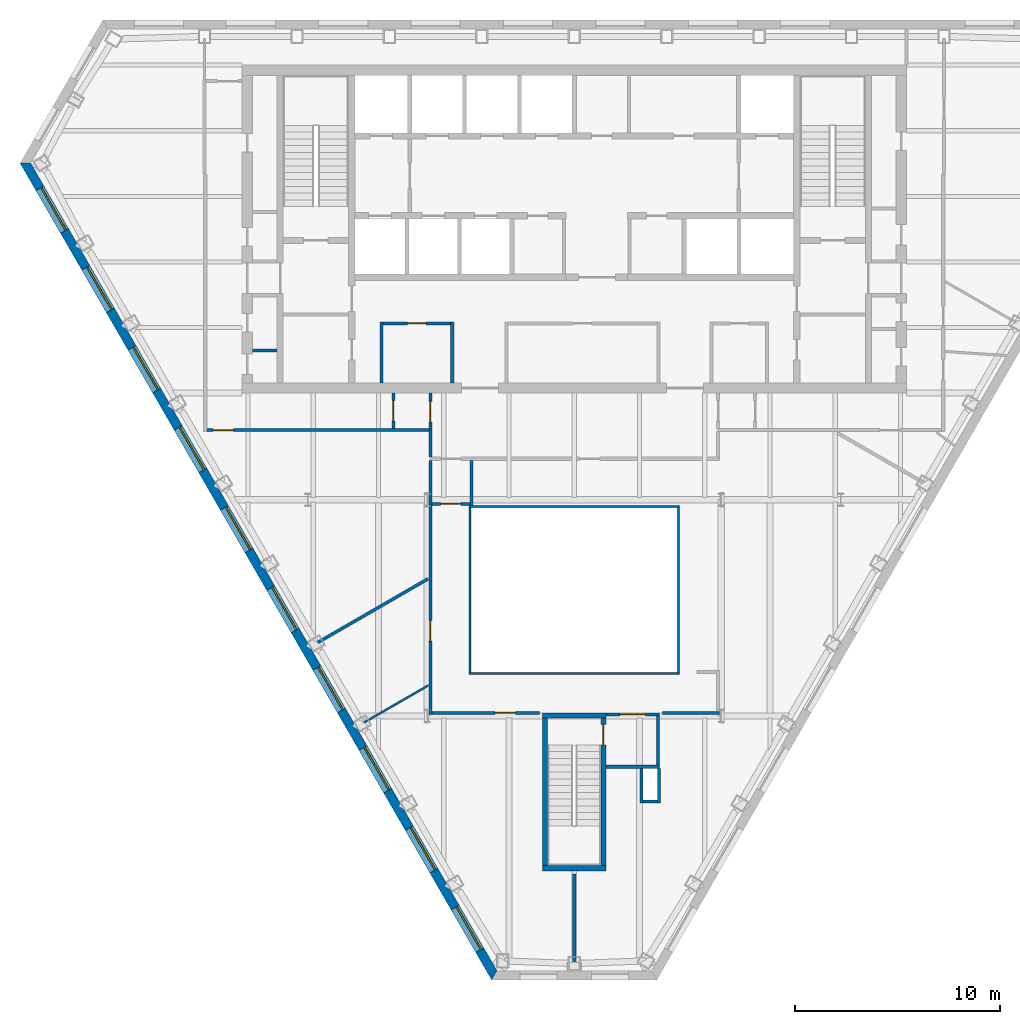
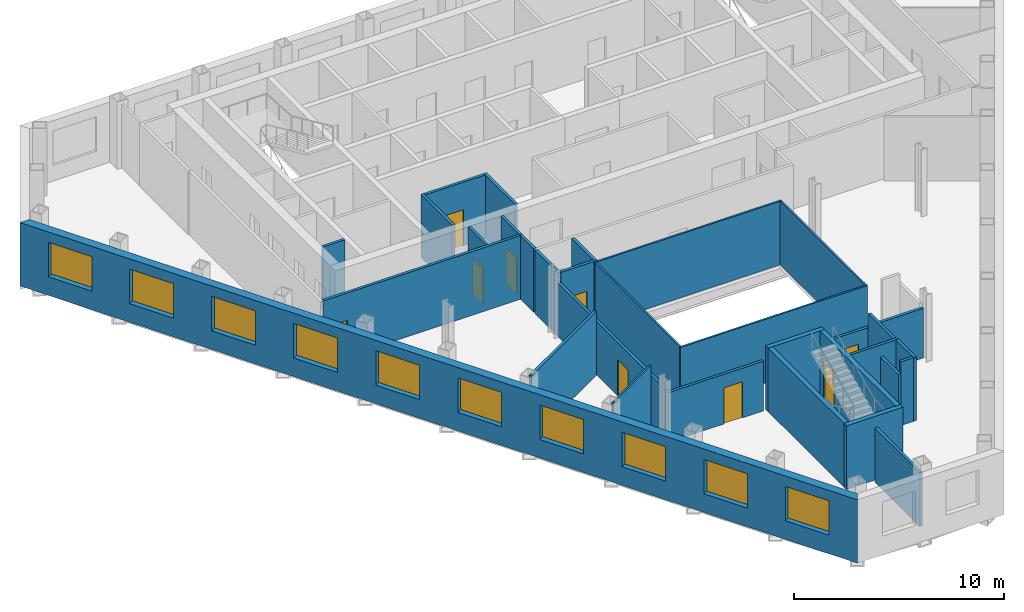
# One storey, part 4 of 11: 32 walls, 10 windows, 9 doors, 19 openings.
"""IFC4 building model written with IfcOpenShell, lengths in metres."""

from ifc_helpers import new_model, si_unit, direction, frame, frame_2d, origin, place, context, subcontext, project, spatial, polyline, rectangle, outline, extrude, material, layer, layer_set, type_object, element, fill, save


model = new_model("IFC4")

# Units and contexts
model_context = context("Model", 3, precision=1e-05, world=origin(), true_north=direction((0.0, 1.0)))
body_context = subcontext(model_context, "Body", "Model", "MODEL_VIEW")
ifc_project = project(units=[si_unit("LENGTHUNIT", "METRE"), si_unit("AREAUNIT", "SQUARE_METRE"), si_unit("VOLUMEUNIT", "CUBIC_METRE"), si_unit("PLANEANGLEUNIT", "RADIAN"), si_unit("MASSUNIT", "GRAM", prefix="KILO")], contexts=[model_context])

# Site, building, storey
site_placement = place(None, origin())
site = spatial("IfcSite", under=ifc_project, at=site_placement, CompositionType="ELEMENT")
building_placement = place(site_placement, origin())
building = spatial("IfcBuilding", under=site, at=building_placement, Name="Njiva Tower", CompositionType="ELEMENT")
storey_placement = place(building_placement, frame((0.0, 0.0, 174.9)))
storey = spatial("IfcBuildingStorey", under=building, at=storey_placement, Name="L38", CompositionType="ELEMENT", Elevation=174.9)

# Walls
ifc_material_1 = material(Name="Blockwork", Category="masonry")
ifc_layer_1 = layer(ifc_material_1, 0.15)
ifc_layer_set_1 = layer_set([ifc_layer_1], Name="Blockwork")
wall_type_1 = type_object("IfcWallType", Name="WT1 Compartment partition 150", PredefinedType="PARTITIONING", material=ifc_layer_set_1)
wall_1_placement = place(storey_placement, frame((-15.7, 4.075, 0.0), z_axis=(0.0, 0.0, 1.0), x_axis=(1.0, 0.0, 0.0)))
element("IfcWall", 1, at=wall_1_placement, inside=storey, type_object=wall_type_1, Name="Partition strip W00", PredefinedType="PARTITIONING", context=body_context, shape_type="SweptSolid", body=[
    extrude(rectangle(XDim=1.2, YDim=0.15, at=frame_2d((0.6, 0.0))), origin(), (0.0, 0.0, 1.0), 3.7),
])
for number, where, z_axis, x_axis, name in (
    (2, (-9.4, 2.5, 0.0), (0.0, 0.0, 1.0), (0.0, 1.0, 0.0), "Concierge office wall west"),
    (3, (-5.95, 2.5, 0.0), (0.0, 0.0, 1.0), (0.0, 1.0, 0.0), "Concierge office wall east"),
):
    element("IfcWall", number, at=place(storey_placement, frame(where, z_axis=z_axis, x_axis=x_axis)), inside=storey, type_object=wall_type_1, Name=name, PredefinedType="PARTITIONING", context=body_context, shape_type="SweptSolid", body=[
        extrude(rectangle(XDim=2.975, YDim=0.15, at=frame_2d((1.4875, 0.0))), origin(), (0.0, 0.0, 1.0), 3.7),
    ])

# Wall, opening, door
wall_2_placement = place(storey_placement, frame((-9.325, 5.4, 0.0), z_axis=(0.0, 0.0, 1.0), x_axis=(1.0, 0.0, 0.0)))
wall_2 = element("IfcWall", 4, at=wall_2_placement, inside=storey, type_object=wall_type_1, Name="Concierge office wall north", PredefinedType="PARTITIONING", context=body_context, shape_type="SweptSolid", body=[
    extrude(rectangle(XDim=3.3, YDim=0.15, at=frame_2d((1.65, 0.0))), origin(), (0.0, 0.0, 1.0), 3.7),
])
opening_1_placement = place(wall_2_placement, frame((1.2, 0.0, 0.0)))
opening_1 = element("IfcOpeningElement", 5, at=opening_1_placement, cuts=wall_2, Name="Opening S13-D933", PredefinedType="OPENING", context=body_context, shape_type="SweptSolid", body=[
    extrude(rectangle(XDim=0.9, YDim=2.1, at=frame_2d((0.45, 1.05))), frame((0.0, 0.085, 0.0), z_axis=(0.0, -1.0, 0.0), x_axis=(1.0, 0.0, 0.0)), (0.0, 0.0, 1.0), 0.17),
])
ifc_material_2 = material(Name="Steel fire door, painted", Category="steel")
door_type_1 = type_object("IfcDoorType", Name="D6 Fire-rated door 900x2100", OperationType="SINGLE_SWING_LEFT", PredefinedType="DOOR", material=ifc_material_2)
door_1_placement = place(opening_1_placement, origin())
door_1 = element("IfcDoor", 6, at=door_1_placement, inside=storey, type_object=door_type_1, Name="Concierge office door", OperationType="SINGLE_SWING_RIGHT", OverallHeight=2.1, OverallWidth=0.9, PredefinedType="DOOR", context=body_context, shape_type="SweptSolid", body=[
    extrude(rectangle(XDim=0.9, YDim=2.1, at=frame_2d((0.45, 1.05))), frame((0.0, 0.025, 0.0), z_axis=(0.0, -1.0, 0.0), x_axis=(1.0, 0.0, 0.0)), (0.0, 0.0, 1.0), 0.05),
])
fill(opening_1, door_1)

# Wall
ifc_material_3 = material(Name="Gypsum board on steel studs", Category="gypsum")
ifc_layer_2 = layer(ifc_material_3, 0.1)
ifc_layer_set_2 = layer_set([ifc_layer_2], Name="Gypsum board on steel studs")
wall_type_2 = type_object("IfcWallType", Name="WT20 Gypsum partition 100", PredefinedType="PARTITIONING", material=ifc_layer_set_2)
wall_3_placement = place(storey_placement, frame((-10.244, -14.062, 0.0), z_axis=(0.0, 0.0, 1.0), x_axis=(0.866102493935, 0.499866452165, 0.0)))
element("IfcWall", 7, at=wall_3_placement, inside=storey, type_object=wall_type_2, Name="Partition S13-P007", PredefinedType="PARTITIONING", context=body_context, shape_type="SweptSolid", body=[
    extrude(rectangle(XDim=3.607, YDim=0.1, at=frame_2d((1.8035, 0.0))), origin(), (0.0, 0.0, 1.0), 3.7),
])

# Wall, opening, door
ifc_layer_3 = layer(ifc_material_3, 0.15)
ifc_layer_set_3 = layer_set([ifc_layer_3], Name="Gypsum board on steel studs")
wall_type_3 = type_object("IfcWallType", Name="WT21 Compartment wall 150", PredefinedType="PARTITIONING", material=ifc_layer_set_3)
wall_4_placement = place(storey_placement, frame((-17.925, 0.2, 0.0), z_axis=(0.0, 0.0, 1.0), x_axis=(1.0, 0.0, 0.0)))
wall_4 = element("IfcWall", 8, at=wall_4_placement, inside=storey, type_object=wall_type_3, Name="Partition S13-P005", PredefinedType="PARTITIONING", context=body_context, shape_type="SweptSolid", body=[
    extrude(rectangle(XDim=10.83, YDim=0.15, at=frame_2d((5.415, 0.0))), origin(), (0.0, 0.0, 1.0), 3.7),
])
opening_2_placement = place(wall_4_placement, frame((0.312, 0.0, 0.0)))
opening_2 = element("IfcOpeningElement", 9, at=opening_2_placement, cuts=wall_4, Name="Opening S13-D002", PredefinedType="OPENING", context=body_context, shape_type="SweptSolid", body=[
    extrude(rectangle(XDim=1.0, YDim=2.1, at=frame_2d((0.5, 1.05))), frame((0.0, 0.085, 0.0), z_axis=(0.0, -1.0, 0.0), x_axis=(1.0, 0.0, 0.0)), (0.0, 0.0, 1.0), 0.17),
])
ifc_material_4 = material(Name="Steel fire door set", Category="steel")
door_type_2 = type_object("IfcDoorType", Name="D37 Fire door 1000x2100", OperationType="SINGLE_SWING_LEFT", PredefinedType="DOOR", material=ifc_material_4)
door_2_placement = place(opening_2_placement, origin())
door_2 = element("IfcDoor", 10, at=door_2_placement, inside=storey, type_object=door_type_2, Name="Door S13-D002", OperationType="SINGLE_SWING_LEFT", OverallHeight=2.1, OverallWidth=1.0, PredefinedType="DOOR", context=body_context, shape_type="SweptSolid", body=[
    extrude(rectangle(XDim=1.0, YDim=2.1, at=frame_2d((0.5, 1.05))), frame((0.0, 0.025, 0.0), z_axis=(0.0, -1.0, 0.0), x_axis=(1.0, 0.0, 0.0)), (0.0, 0.0, 1.0), 0.05),
])
fill(opening_2, door_2)

# Wall
wall_5_placement = place(storey_placement, frame((-12.499, -10.157, 0.0), z_axis=(0.0, 0.0, 1.0), x_axis=(0.866070043127, 0.499922674419, 0.0)))
element("IfcWall", 11, at=wall_5_placement, inside=storey, type_object=wall_type_3, Name="Partition S13-P006", PredefinedType="PARTITIONING", context=body_context, shape_type="SweptSolid", body=[
    extrude(rectangle(XDim=6.197, YDim=0.15, at=frame_2d((3.0985, 0.0))), origin(), (0.0, 0.0, 1.0), 3.7),
])

# Wall, opening, door
wall_6_placement = place(storey_placement, frame((-8.82, 0.275, 0.0), z_axis=(0.0, 0.0, 1.0), x_axis=(0.0, 1.0, 0.0)))
wall_6 = element("IfcWall", 12, at=wall_6_placement, inside=storey, type_object=wall_type_3, Name="Partition S13-P008", PredefinedType="PARTITIONING", context=body_context, shape_type="SweptSolid", body=[
    extrude(rectangle(XDim=1.725, YDim=0.15, at=frame_2d((0.8625, 0.0))), origin(), (0.0, 0.0, 1.0), 3.7),
])
opening_3_placement = place(wall_6_placement, frame((0.363, 0.0, 0.0)))
opening_3 = element("IfcOpeningElement", 13, at=opening_3_placement, cuts=wall_6, Name="Opening S13-D003", PredefinedType="OPENING", context=body_context, shape_type="SweptSolid", body=[
    extrude(rectangle(XDim=1.0, YDim=2.1, at=frame_2d((0.5, 1.05))), frame((0.0, 0.085, 0.0), z_axis=(0.0, -1.0, 0.0), x_axis=(1.0, 0.0, 0.0)), (0.0, 0.0, 1.0), 0.17),
])
door_3_placement = place(opening_3_placement, origin())
door_3 = element("IfcDoor", 14, at=door_3_placement, inside=storey, type_object=door_type_2, Name="Door S13-D003", OperationType="SINGLE_SWING_LEFT", OverallHeight=2.1, OverallWidth=1.0, PredefinedType="DOOR", context=body_context, shape_type="SweptSolid", body=[
    extrude(rectangle(XDim=1.0, YDim=2.1, at=frame_2d((0.5, 1.05))), frame((0.0, 0.025, 0.0), z_axis=(0.0, -1.0, 0.0), x_axis=(1.0, 0.0, 0.0)), (0.0, 0.0, 1.0), 0.05),
])
fill(opening_3, door_3)

wall_7_placement = place(storey_placement, frame((-7.02, -13.675, 0.0), z_axis=(0.0, 0.0, 1.0), x_axis=(0.0, 1.0, 0.0)))
wall_7 = element("IfcWall", 15, at=wall_7_placement, inside=storey, type_object=wall_type_3, Name="Partition S13-P009", PredefinedType="PARTITIONING", context=body_context, shape_type="SweptSolid", body=[
    extrude(rectangle(XDim=10.215, YDim=0.15, at=frame_2d((5.1075, 0.0))), origin(), (0.0, 0.0, 1.0), 3.11),
])
opening_4_placement = place(wall_7_placement, frame((3.577, 0.0, 0.0)))
opening_4 = element("IfcOpeningElement", 16, at=opening_4_placement, cuts=wall_7, Name="Opening S13-D004", PredefinedType="OPENING", context=body_context, shape_type="SweptSolid", body=[
    extrude(rectangle(XDim=1.0, YDim=2.1, at=frame_2d((0.5, 1.05))), frame((0.0, 0.085, 0.0), z_axis=(0.0, -1.0, 0.0), x_axis=(1.0, 0.0, 0.0)), (0.0, 0.0, 1.0), 0.17),
])
door_4_placement = place(opening_4_placement, origin())
door_4 = element("IfcDoor", 17, at=door_4_placement, inside=storey, type_object=door_type_2, Name="Door S13-D004", OperationType="SINGLE_SWING_RIGHT", OverallHeight=2.1, OverallWidth=1.0, PredefinedType="DOOR", context=body_context, shape_type="SweptSolid", body=[
    extrude(rectangle(XDim=1.0, YDim=2.1, at=frame_2d((0.5, 1.05))), frame((0.0, 0.025, 0.0), z_axis=(0.0, -1.0, 0.0), x_axis=(1.0, 0.0, 0.0)), (0.0, 0.0, 1.0), 0.05),
])
fill(opening_4, door_4)

# Walls
wall_8_placement = place(storey_placement, frame((-7.02, -3.46, 0.0), z_axis=(0.0, 0.0, 1.0), x_axis=(0.0, 1.0, 0.0)))
element("IfcWall", 18, at=wall_8_placement, inside=storey, type_object=wall_type_3, Name="Partition S13-P009A", PredefinedType="PARTITIONING", context=body_context, shape_type="SweptSolid", body=[
    extrude(rectangle(XDim=2.185, YDim=0.15, at=frame_2d((1.0925, 0.0))), origin(), (0.0, 0.0, 1.0), 3.7),
])
wall_9_placement = place(storey_placement, frame((-7.02, -1.125, 0.0), z_axis=(0.0, 0.0, 1.0), x_axis=(0.0, 1.0, 0.0)))
element("IfcWall", 19, at=wall_9_placement, inside=storey, type_object=wall_type_3, Name="Partition S13-P011", PredefinedType="PARTITIONING", context=body_context, shape_type="SweptSolid", body=[
    extrude(rectangle(XDim=1.323, YDim=0.15, at=frame_2d((0.6615, 0.0))), origin(), (0.0, 0.0, 1.0), 3.7),
])

# Wall, opening, door
wall_10_placement = place(storey_placement, frame((-7.02, 0.2, 0.0), z_axis=(0.0, 0.0, 1.0), x_axis=(0.0, 1.0, 0.0)))
wall_10 = element("IfcWall", 20, at=wall_10_placement, inside=storey, type_object=wall_type_3, Name="Partition S13-P012", PredefinedType="PARTITIONING", context=body_context, shape_type="SweptSolid", body=[
    extrude(rectangle(XDim=1.8, YDim=0.15, at=frame_2d((0.9, 0.0))), origin(), (0.0, 0.0, 1.0), 3.7),
])
opening_5_placement = place(wall_10_placement, frame((0.4, 0.0, 0.0)))
opening_5 = element("IfcOpeningElement", 21, at=opening_5_placement, cuts=wall_10, Name="Opening S13-D007", PredefinedType="OPENING", context=body_context, shape_type="SweptSolid", body=[
    extrude(rectangle(XDim=1.0, YDim=2.1, at=frame_2d((0.5, 1.05))), frame((0.0, 0.085, 0.0), z_axis=(0.0, -1.0, 0.0), x_axis=(1.0, 0.0, 0.0)), (0.0, 0.0, 1.0), 0.17),
])
door_5_placement = place(opening_5_placement, origin())
door_5 = element("IfcDoor", 22, at=door_5_placement, inside=storey, type_object=door_type_2, Name="Door S13-D007", OperationType="SINGLE_SWING_LEFT", OverallHeight=2.1, OverallWidth=1.0, PredefinedType="DOOR", context=body_context, shape_type="SweptSolid", body=[
    extrude(rectangle(XDim=1.0, YDim=2.1, at=frame_2d((0.5, 1.05))), frame((0.0, 0.025, 0.0), z_axis=(0.0, -1.0, 0.0), x_axis=(1.0, 0.0, 0.0)), (0.0, 0.0, 1.0), 0.05),
])
fill(opening_5, door_5)

wall_11_placement = place(storey_placement, frame((-6.945, -13.6, 0.0), z_axis=(0.0, 0.0, 1.0), x_axis=(1.0, 0.0, 0.0)))
wall_11 = element("IfcWall", 23, at=wall_11_placement, inside=storey, type_object=wall_type_3, Name="Partition S13-P013", PredefinedType="PARTITIONING", context=body_context, shape_type="SweptSolid", body=[
    extrude(rectangle(XDim=5.245, YDim=0.15, at=frame_2d((2.6225, 0.0))), origin(), (0.0, 0.0, 1.0), 2.886),
])
opening_6_placement = place(wall_11_placement, frame((3.079, 0.0, 0.0)))
opening_6 = element("IfcOpeningElement", 24, at=opening_6_placement, cuts=wall_11, Name="Opening S13-D008", PredefinedType="OPENING", context=body_context, shape_type="SweptSolid", body=[
    extrude(rectangle(XDim=1.0, YDim=2.1, at=frame_2d((0.5, 1.05))), frame((0.0, 0.085, 0.0), z_axis=(0.0, -1.0, 0.0), x_axis=(1.0, 0.0, 0.0)), (0.0, 0.0, 1.0), 0.17),
])
door_6_placement = place(opening_6_placement, origin())
door_6 = element("IfcDoor", 25, at=door_6_placement, inside=storey, type_object=door_type_2, Name="Door S13-D008", OperationType="SINGLE_SWING_RIGHT", OverallHeight=2.1, OverallWidth=1.0, PredefinedType="DOOR", context=body_context, shape_type="SweptSolid", body=[
    extrude(rectangle(XDim=1.0, YDim=2.1, at=frame_2d((0.5, 1.05))), frame((0.0, 0.025, 0.0), z_axis=(0.0, -1.0, 0.0), x_axis=(1.0, 0.0, 0.0)), (0.0, 0.0, 1.0), 0.05),
])
fill(opening_6, door_6)

wall_12_placement = place(storey_placement, frame((-6.945, -3.4, 0.0), z_axis=(0.0, 0.0, 1.0), x_axis=(1.0, 0.0, 0.0)))
wall_12 = element("IfcWall", 26, at=wall_12_placement, inside=storey, type_object=wall_type_3, Name="Partition S13-P014", PredefinedType="PARTITIONING", context=body_context, shape_type="SweptSolid", body=[
    extrude(rectangle(XDim=1.85, YDim=0.15, at=frame_2d((0.925, 0.0))), origin(), (0.0, 0.0, 1.0), 3.7),
])
opening_7_placement = place(wall_12_placement, frame((0.425, 0.0, 0.0)))
opening_7 = element("IfcOpeningElement", 27, at=opening_7_placement, cuts=wall_12, Name="Opening S13-D009", PredefinedType="OPENING", context=body_context, shape_type="SweptSolid", body=[
    extrude(rectangle(XDim=1.0, YDim=2.1, at=frame_2d((0.5, 1.05))), frame((0.0, 0.085, 0.0), z_axis=(0.0, -1.0, 0.0), x_axis=(1.0, 0.0, 0.0)), (0.0, 0.0, 1.0), 0.17),
])
door_7_placement = place(opening_7_placement, origin())
door_7 = element("IfcDoor", 28, at=door_7_placement, inside=storey, type_object=door_type_2, Name="Door S13-D009", OperationType="SINGLE_SWING_RIGHT", OverallHeight=2.1, OverallWidth=1.0, PredefinedType="DOOR", context=body_context, shape_type="SweptSolid", body=[
    extrude(rectangle(XDim=1.0, YDim=2.1, at=frame_2d((0.5, 1.05))), frame((0.0, 0.025, 0.0), z_axis=(0.0, -1.0, 0.0), x_axis=(1.0, 0.0, 0.0)), (0.0, 0.0, 1.0), 0.05),
])
fill(opening_7, door_7)

# Walls
wall_13_placement = place(storey_placement, frame((-5.02, -3.48, 0.0), z_axis=(0.0, 0.0, 1.0), x_axis=(0.0, 1.0, 0.0)))
element("IfcWall", 29, at=wall_13_placement, inside=storey, type_object=wall_type_3, Name="Partition S13-P015", PredefinedType="PARTITIONING", context=body_context, shape_type="SweptSolid", body=[
    extrude(rectangle(XDim=2.205, YDim=0.15, at=frame_2d((1.1025, 0.0))), origin(), (0.0, 0.0, 1.0), 3.7),
])
wall_14_placement = place(storey_placement, frame((0.0, -25.726, 0.0), z_axis=(0.0, 0.0, 1.0), x_axis=(0.0, 1.0, 0.0)))
element("IfcWall", 30, at=wall_14_placement, inside=storey, type_object=wall_type_3, Name="Partition S13-P016", PredefinedType="PARTITIONING", context=body_context, shape_type="SweptSolid", body=[
    extrude(rectangle(XDim=4.276, YDim=0.15, at=frame_2d((2.138, 0.0))), origin(), (0.0, 0.0, 1.0), 3.15),
])
wall_15_placement = place(storey_placement, frame((4.3, -13.6, 0.0), z_axis=(0.0, 0.0, 1.0), x_axis=(1.0, 0.0, 0.0)))
element("IfcWall", 31, at=wall_15_placement, inside=storey, type_object=wall_type_3, Name="Partition S13-P017", PredefinedType="PARTITIONING", context=body_context, shape_type="SweptSolid", body=[
    extrude(rectangle(XDim=2.795, YDim=0.15, at=frame_2d((1.3975, 0.0))), origin(), (0.0, 0.0, 1.0), 2.886),
])
ifc_layer_4 = layer(ifc_material_1, 0.15)
ifc_layer_set_4 = layer_set([ifc_layer_4], Name="Blockwork")
wall_type_4 = type_object("IfcWallType", Name="WT4 Stair partition 150", PredefinedType="PARTITIONING", material=ifc_layer_set_4)
wall_16_placement = place(storey_placement, frame((1.55, -16.225, 0.0), z_axis=(0.0, 0.0, 1.0), x_axis=(1.0, 0.0, 0.0)))
element("IfcWall", 32, at=wall_16_placement, inside=storey, type_object=wall_type_4, Name="Stair C vestibule wall south", PredefinedType="PARTITIONING", context=body_context, shape_type="SweptSolid", body=[
    extrude(rectangle(XDim=2.6, YDim=0.15, at=frame_2d((1.3, 0.0))), origin(), (0.0, 0.0, 1.0), 3.7),
])
wall_17_placement = place(storey_placement, frame((4.075, -16.15, 0.0), z_axis=(0.0, 0.0, 1.0), x_axis=(0.0, 1.0, 0.0)))
element("IfcWall", 33, at=wall_17_placement, inside=storey, type_object=wall_type_4, Name="Stair C vestibule wall east", PredefinedType="PARTITIONING", context=body_context, shape_type="SweptSolid", body=[
    extrude(rectangle(XDim=2.4, YDim=0.15, at=frame_2d((1.2, 0.0))), origin(), (0.0, 0.0, 1.0), 3.7),
])

# Wall, opening, door
wall_18_placement = place(storey_placement, frame((1.55, -13.675, 0.0), z_axis=(0.0, 0.0, 1.0), x_axis=(1.0, 0.0, 0.0)))
wall_18 = element("IfcWall", 34, at=wall_18_placement, inside=storey, type_object=wall_type_4, Name="Stair C vestibule wall north", PredefinedType="PARTITIONING", context=body_context, shape_type="SweptSolid", body=[
    extrude(rectangle(XDim=2.6, YDim=0.15, at=frame_2d((1.3, 0.0))), origin(), (0.0, 0.0, 1.0), 2.886),
])
opening_8_placement = place(wall_18_placement, frame((0.675, 0.0, 0.0)))
opening_8 = element("IfcOpeningElement", 35, at=opening_8_placement, cuts=wall_18, Name="Opening S13-D940", PredefinedType="OPENING", context=body_context, shape_type="SweptSolid", body=[
    extrude(rectangle(XDim=1.25, YDim=2.1, at=frame_2d((0.625, 1.05))), frame((0.0, 0.085, 0.0), z_axis=(0.0, -1.0, 0.0), x_axis=(1.0, 0.0, 0.0)), (0.0, 0.0, 1.0), 0.17),
])
ifc_material_5 = material(Name="Glazed steel fire door", Category="steel")
door_type_3 = type_object("IfcDoorType", Name="D8 Vestibule corridor door 1250x2100 glazed", OperationType="SINGLE_SWING_LEFT", PredefinedType="DOOR", material=ifc_material_5)
door_8_placement = place(opening_8_placement, origin())
door_8 = element("IfcDoor", 36, at=door_8_placement, inside=storey, type_object=door_type_3, Name="Stair vestibule corridor door", OperationType="SINGLE_SWING_RIGHT", OverallHeight=2.1, OverallWidth=1.25, PredefinedType="DOOR", context=body_context, shape_type="SweptSolid", body=[
    extrude(rectangle(XDim=1.25, YDim=2.1, at=frame_2d((0.625, 1.05))), frame((0.0, 0.025, 0.0), z_axis=(0.0, -1.0, 0.0), x_axis=(1.0, 0.0, 0.0)), (0.0, 0.0, 1.0), 0.05),
])
fill(opening_8, door_8)

# Walls
wall_19_placement = place(storey_placement, frame((3.275, -18.0, 0.0), z_axis=(0.0, 0.0, 1.0), x_axis=(0.0, 1.0, 0.0)))
element("IfcWall", 37, at=wall_19_placement, inside=storey, type_object=wall_type_4, Name="Stair C pressurisation shaft wall", PredefinedType="PARTITIONING", context=body_context, shape_type="SweptSolid", body=[
    extrude(rectangle(XDim=1.7, YDim=0.15, at=frame_2d((0.85, 0.0))), origin(), (0.0, 0.0, 1.0), 3.01),
])
wall_20_placement = place(storey_placement, frame((3.35, -17.925, 0.0), z_axis=(0.0, 0.0, 1.0), x_axis=(1.0, 0.0, 0.0)))
element("IfcWall", 38, at=wall_20_placement, inside=storey, type_object=wall_type_4, Name="Stair C pressurisation shaft wall", PredefinedType="PARTITIONING", context=body_context, shape_type="SweptSolid", body=[
    extrude(rectangle(XDim=0.7, YDim=0.15, at=frame_2d((0.35, 0.0))), origin(), (0.0, 0.0, 1.0), 3.7),
])
wall_21_placement = place(storey_placement, frame((4.125, -18.0, 0.0), z_axis=(0.0, 0.0, 1.0), x_axis=(0.0, 1.0, 0.0)))
element("IfcWall", 39, at=wall_21_placement, inside=storey, type_object=wall_type_4, Name="Stair C pressurisation shaft wall", PredefinedType="PARTITIONING", context=body_context, shape_type="SweptSolid", body=[
    extrude(rectangle(XDim=1.7, YDim=0.15, at=frame_2d((0.85, 0.0))), origin(), (0.0, 0.0, 1.0), 3.7),
])
ifc_material_6 = material(Name="Concrete C40/50", Category="concrete")
ifc_layer_5 = layer(ifc_material_6, 0.25)
ifc_layer_set_5 = layer_set([ifc_layer_5], Name="Concrete C40/50")
wall_type_5 = type_object("IfcWallType", Name="WT9 Stair enclosure wall 250", PredefinedType="SHEAR", material=ifc_layer_set_5)
wall_22_placement = place(storey_placement, frame((-1.425, -21.05, 0.0), z_axis=(0.0, 0.0, 1.0), x_axis=(0.0, 1.0, 0.0)))
element("IfcWall", 40, at=wall_22_placement, inside=storey, type_object=wall_type_5, Name="Stair C wall west", PredefinedType="SHEAR", context=body_context, shape_type="SweptSolid", body=[
    extrude(rectangle(XDim=7.2, YDim=0.25, at=frame_2d((3.6, 0.0))), origin(), (0.0, 0.0, 1.0), 3.7),
])

# Wall, opening, door
wall_23_placement = place(storey_placement, frame((1.425, -21.05, 0.0), z_axis=(0.0, 0.0, 1.0), x_axis=(0.0, 1.0, 0.0)))
wall_23 = element("IfcWall", 41, at=wall_23_placement, inside=storey, type_object=wall_type_5, Name="Stair C wall east", PredefinedType="SHEAR", context=body_context, shape_type="SweptSolid", body=[
    extrude(rectangle(XDim=7.2, YDim=0.25, at=frame_2d((3.6, 0.0))), origin(), (0.0, 0.0, 1.0), 3.7),
])
opening_9_placement = place(wall_23_placement, frame((5.89, 0.0, 0.0)))
opening_9 = element("IfcOpeningElement", 42, at=opening_9_placement, cuts=wall_23, Name="Opening S13-D939", PredefinedType="OPENING", context=body_context, shape_type="SweptSolid", body=[
    extrude(rectangle(XDim=1.0, YDim=2.1, at=frame_2d((0.5, 1.05))), frame((0.0, 0.135, 0.0), z_axis=(0.0, -1.0, 0.0), x_axis=(1.0, 0.0, 0.0)), (0.0, 0.0, 1.0), 0.27),
])
door_type_4 = type_object("IfcDoorType", Name="D9 Stair vestibule door 1000x2100 glazed", OperationType="SINGLE_SWING_LEFT", PredefinedType="DOOR", material=ifc_material_5)
door_9_placement = place(opening_9_placement, origin())
door_9 = element("IfcDoor", 43, at=door_9_placement, inside=storey, type_object=door_type_4, Name="Stair C door", OperationType="SINGLE_SWING_LEFT", OverallHeight=2.1, OverallWidth=1.0, PredefinedType="DOOR", context=body_context, shape_type="SweptSolid", body=[
    extrude(rectangle(XDim=1.0, YDim=2.1, at=frame_2d((0.5, 1.05))), frame((0.0, 0.025, 0.0), z_axis=(0.0, -1.0, 0.0), x_axis=(1.0, 0.0, 0.0)), (0.0, 0.0, 1.0), 0.05),
])
fill(opening_9, door_9)

# Walls
for number, where, z_axis, x_axis, name in (
    (44, (-1.55, -21.175, 0.0), (0.0, 0.0, 1.0), (1.0, 0.0, 0.0), "Stair C wall south"),
    (45, (-1.55, -13.725, 0.0), (0.0, 0.0, 1.0), (1.0, 0.0, 0.0), "Stair C wall north"),
):
    element("IfcWall", number, at=place(storey_placement, frame(where, z_axis=z_axis, x_axis=x_axis)), inside=storey, type_object=wall_type_5, Name=name, PredefinedType="SHEAR", context=body_context, shape_type="SweptSolid", body=[
        extrude(rectangle(XDim=3.1, YDim=0.25, at=frame_2d((1.55, 0.0))), origin(), (0.0, 0.0, 1.0), 3.7),
    ])

# Wall, openings, windows
ifc_material_7 = material(Name="Brick masonry", Category="masonry")
ifc_layer_6 = layer(ifc_material_7, 0.45)
ifc_layer_set_6 = layer_set([ifc_layer_6], Name="Brick masonry")
wall_type_6 = type_object("IfcWallType", Name="WT90 Brick pier and spandrel wall 450", PredefinedType="SOLIDWALL", material=ifc_layer_set_6)
wall_24_placement = place(storey_placement, frame((-26.7752, 13.2198, -0.18), z_axis=(0.0, 0.0, 1.0), x_axis=(0.500000335318, -0.866025210188, 0.0)))
wall_24 = element("IfcWall", 46, at=wall_24_placement, inside=storey, type_object=wall_type_6, Name="Facade wall SW", PredefinedType="SOLIDWALL", context=body_context, shape_type="SweptSolid", body=[
    extrude(outline(polyline([(-0.1299, -0.225), (45.8801, -0.225), (45.6203, 0.225), (0.1299, 0.225), (-0.1299, -0.225)])), origin(), (0.0, 0.0, 1.0), 3.68),
])
opening_10_placement = place(wall_24_placement, frame((1.4247, 0.0, 1.08)))
opening_10 = element("IfcOpeningElement", 47, at=opening_10_placement, cuts=wall_24, Name="Opening S13-W12", PredefinedType="OPENING", context=body_context, shape_type="SweptSolid", body=[
    extrude(rectangle(XDim=2.4, YDim=2.0, at=frame_2d((1.2, 1.0))), frame((0.0, 0.235, 0.0), z_axis=(0.0, -1.0, 0.0), x_axis=(1.0, 0.0, 0.0)), (0.0, 0.0, 1.0), 0.47),
])
opening_11_placement = place(wall_24_placement, frame((5.8949, 0.0, 1.08)))
opening_11 = element("IfcOpeningElement", 48, at=opening_11_placement, cuts=wall_24, Name="Opening S13-W13", PredefinedType="OPENING", context=body_context, shape_type="SweptSolid", body=[
    extrude(rectangle(XDim=2.4, YDim=2.0, at=frame_2d((1.2, 1.0))), frame((0.0, 0.235, 0.0), z_axis=(0.0, -1.0, 0.0), x_axis=(1.0, 0.0, 0.0)), (0.0, 0.0, 1.0), 0.47),
])
opening_12_placement = place(wall_24_placement, frame((10.4035, 0.0, 1.08)))
opening_12 = element("IfcOpeningElement", 49, at=opening_12_placement, cuts=wall_24, Name="Opening S13-W14", PredefinedType="OPENING", context=body_context, shape_type="SweptSolid", body=[
    extrude(rectangle(XDim=2.4, YDim=2.0, at=frame_2d((1.2, 1.0))), frame((0.0, 0.235, 0.0), z_axis=(0.0, -1.0, 0.0), x_axis=(1.0, 0.0, 0.0)), (0.0, 0.0, 1.0), 0.47),
])
opening_13_placement = place(wall_24_placement, frame((14.9122, 0.0, 1.08)))
opening_13 = element("IfcOpeningElement", 50, at=opening_13_placement, cuts=wall_24, Name="Opening S13-W15", PredefinedType="OPENING", context=body_context, shape_type="SweptSolid", body=[
    extrude(rectangle(XDim=2.4, YDim=2.0, at=frame_2d((1.2, 1.0))), frame((0.0, 0.235, 0.0), z_axis=(0.0, -1.0, 0.0), x_axis=(1.0, 0.0, 0.0)), (0.0, 0.0, 1.0), 0.47),
])
opening_14_placement = place(wall_24_placement, frame((19.4208, 0.0, 1.08)))
opening_14 = element("IfcOpeningElement", 51, at=opening_14_placement, cuts=wall_24, Name="Opening S13-W16", PredefinedType="OPENING", context=body_context, shape_type="SweptSolid", body=[
    extrude(rectangle(XDim=2.4, YDim=2.0, at=frame_2d((1.2, 1.0))), frame((0.0, 0.235, 0.0), z_axis=(0.0, -1.0, 0.0), x_axis=(1.0, 0.0, 0.0)), (0.0, 0.0, 1.0), 0.47),
])
opening_15_placement = place(wall_24_placement, frame((23.9294, 0.0, 1.08)))
opening_15 = element("IfcOpeningElement", 52, at=opening_15_placement, cuts=wall_24, Name="Opening S13-W17", PredefinedType="OPENING", context=body_context, shape_type="SweptSolid", body=[
    extrude(rectangle(XDim=2.4, YDim=2.0, at=frame_2d((1.2, 1.0))), frame((0.0, 0.235, 0.0), z_axis=(0.0, -1.0, 0.0), x_axis=(1.0, 0.0, 0.0)), (0.0, 0.0, 1.0), 0.47),
])
opening_16_placement = place(wall_24_placement, frame((28.438, 0.0, 1.08)))
opening_16 = element("IfcOpeningElement", 53, at=opening_16_placement, cuts=wall_24, Name="Opening S13-W18", PredefinedType="OPENING", context=body_context, shape_type="SweptSolid", body=[
    extrude(rectangle(XDim=2.4, YDim=2.0, at=frame_2d((1.2, 1.0))), frame((0.0, 0.235, 0.0), z_axis=(0.0, -1.0, 0.0), x_axis=(1.0, 0.0, 0.0)), (0.0, 0.0, 1.0), 0.47),
])
opening_17_placement = place(wall_24_placement, frame((32.9466, 0.0, 1.08)))
opening_17 = element("IfcOpeningElement", 54, at=opening_17_placement, cuts=wall_24, Name="Opening S13-W19", PredefinedType="OPENING", context=body_context, shape_type="SweptSolid", body=[
    extrude(rectangle(XDim=2.4, YDim=2.0, at=frame_2d((1.2, 1.0))), frame((0.0, 0.235, 0.0), z_axis=(0.0, -1.0, 0.0), x_axis=(1.0, 0.0, 0.0)), (0.0, 0.0, 1.0), 0.47),
])
opening_18_placement = place(wall_24_placement, frame((37.4553, 0.0, 1.08)))
opening_18 = element("IfcOpeningElement", 55, at=opening_18_placement, cuts=wall_24, Name="Opening S13-W20", PredefinedType="OPENING", context=body_context, shape_type="SweptSolid", body=[
    extrude(rectangle(XDim=2.4, YDim=2.0, at=frame_2d((1.2, 1.0))), frame((0.0, 0.235, 0.0), z_axis=(0.0, -1.0, 0.0), x_axis=(1.0, 0.0, 0.0)), (0.0, 0.0, 1.0), 0.47),
])
opening_19_placement = place(wall_24_placement, frame((41.9255, 0.0, 1.08)))
opening_19 = element("IfcOpeningElement", 56, at=opening_19_placement, cuts=wall_24, Name="Opening S13-W21", PredefinedType="OPENING", context=body_context, shape_type="SweptSolid", body=[
    extrude(rectangle(XDim=2.4, YDim=2.0, at=frame_2d((1.2, 1.0))), frame((0.0, 0.235, 0.0), z_axis=(0.0, -1.0, 0.0), x_axis=(1.0, 0.0, 0.0)), (0.0, 0.0, 1.0), 0.47),
])
ifc_material_8 = material(Name="Clear glazing in aluminium frame", Category="aluminium")
window_type = type_object("IfcWindowType", Name="W90 Deep-set window 2400x2000", PartitioningType="SINGLE_PANEL", PredefinedType="WINDOW", material=ifc_material_8)
window_1_placement = place(opening_10_placement, origin())
window_1 = element("IfcWindow", 57, at=window_1_placement, inside=storey, type_object=window_type, Name="Window", OverallHeight=2.0, OverallWidth=2.4, PartitioningType="SINGLE_PANEL", PredefinedType="WINDOW", context=body_context, shape_type="SweptSolid", body=[
    extrude(rectangle(XDim=2.4, YDim=2.0, at=frame_2d((1.2, 1.0))), frame((0.0, 0.105, 0.0), z_axis=(0.0, -1.0, 0.0), x_axis=(1.0, 0.0, 0.0)), (0.0, 0.0, 1.0), 0.06),
])
fill(opening_10, window_1)
window_2_placement = place(opening_11_placement, origin())
window_2 = element("IfcWindow", 58, at=window_2_placement, inside=storey, type_object=window_type, Name="Window", OverallHeight=2.0, OverallWidth=2.4, PartitioningType="SINGLE_PANEL", PredefinedType="WINDOW", context=body_context, shape_type="SweptSolid", body=[
    extrude(rectangle(XDim=2.4, YDim=2.0, at=frame_2d((1.2, 1.0))), frame((0.0, 0.105, 0.0), z_axis=(0.0, -1.0, 0.0), x_axis=(1.0, 0.0, 0.0)), (0.0, 0.0, 1.0), 0.06),
])
fill(opening_11, window_2)
window_3_placement = place(opening_12_placement, origin())
window_3 = element("IfcWindow", 59, at=window_3_placement, inside=storey, type_object=window_type, Name="Window", OverallHeight=2.0, OverallWidth=2.4, PartitioningType="SINGLE_PANEL", PredefinedType="WINDOW", context=body_context, shape_type="SweptSolid", body=[
    extrude(rectangle(XDim=2.4, YDim=2.0, at=frame_2d((1.2, 1.0))), frame((0.0, 0.105, 0.0), z_axis=(0.0, -1.0, 0.0), x_axis=(1.0, 0.0, 0.0)), (0.0, 0.0, 1.0), 0.06),
])
fill(opening_12, window_3)
window_4_placement = place(opening_13_placement, origin())
window_4 = element("IfcWindow", 60, at=window_4_placement, inside=storey, type_object=window_type, Name="Window", OverallHeight=2.0, OverallWidth=2.4, PartitioningType="SINGLE_PANEL", PredefinedType="WINDOW", context=body_context, shape_type="SweptSolid", body=[
    extrude(rectangle(XDim=2.4, YDim=2.0, at=frame_2d((1.2, 1.0))), frame((0.0, 0.105, 0.0), z_axis=(0.0, -1.0, 0.0), x_axis=(1.0, 0.0, 0.0)), (0.0, 0.0, 1.0), 0.06),
])
fill(opening_13, window_4)
window_5_placement = place(opening_14_placement, origin())
window_5 = element("IfcWindow", 61, at=window_5_placement, inside=storey, type_object=window_type, Name="Window", OverallHeight=2.0, OverallWidth=2.4, PartitioningType="SINGLE_PANEL", PredefinedType="WINDOW", context=body_context, shape_type="SweptSolid", body=[
    extrude(rectangle(XDim=2.4, YDim=2.0, at=frame_2d((1.2, 1.0))), frame((0.0, 0.105, 0.0), z_axis=(0.0, -1.0, 0.0), x_axis=(1.0, 0.0, 0.0)), (0.0, 0.0, 1.0), 0.06),
])
fill(opening_14, window_5)
window_6_placement = place(opening_15_placement, origin())
window_6 = element("IfcWindow", 62, at=window_6_placement, inside=storey, type_object=window_type, Name="Window", OverallHeight=2.0, OverallWidth=2.4, PartitioningType="SINGLE_PANEL", PredefinedType="WINDOW", context=body_context, shape_type="SweptSolid", body=[
    extrude(rectangle(XDim=2.4, YDim=2.0, at=frame_2d((1.2, 1.0))), frame((0.0, 0.105, 0.0), z_axis=(0.0, -1.0, 0.0), x_axis=(1.0, 0.0, 0.0)), (0.0, 0.0, 1.0), 0.06),
])
fill(opening_15, window_6)
window_7_placement = place(opening_16_placement, origin())
window_7 = element("IfcWindow", 63, at=window_7_placement, inside=storey, type_object=window_type, Name="Window", OverallHeight=2.0, OverallWidth=2.4, PartitioningType="SINGLE_PANEL", PredefinedType="WINDOW", context=body_context, shape_type="SweptSolid", body=[
    extrude(rectangle(XDim=2.4, YDim=2.0, at=frame_2d((1.2, 1.0))), frame((0.0, 0.105, 0.0), z_axis=(0.0, -1.0, 0.0), x_axis=(1.0, 0.0, 0.0)), (0.0, 0.0, 1.0), 0.06),
])
fill(opening_16, window_7)
window_8_placement = place(opening_17_placement, origin())
window_8 = element("IfcWindow", 64, at=window_8_placement, inside=storey, type_object=window_type, Name="Window", OverallHeight=2.0, OverallWidth=2.4, PartitioningType="SINGLE_PANEL", PredefinedType="WINDOW", context=body_context, shape_type="SweptSolid", body=[
    extrude(rectangle(XDim=2.4, YDim=2.0, at=frame_2d((1.2, 1.0))), frame((0.0, 0.105, 0.0), z_axis=(0.0, -1.0, 0.0), x_axis=(1.0, 0.0, 0.0)), (0.0, 0.0, 1.0), 0.06),
])
fill(opening_17, window_8)
window_9_placement = place(opening_18_placement, origin())
window_9 = element("IfcWindow", 65, at=window_9_placement, inside=storey, type_object=window_type, Name="Window", OverallHeight=2.0, OverallWidth=2.4, PartitioningType="SINGLE_PANEL", PredefinedType="WINDOW", context=body_context, shape_type="SweptSolid", body=[
    extrude(rectangle(XDim=2.4, YDim=2.0, at=frame_2d((1.2, 1.0))), frame((0.0, 0.105, 0.0), z_axis=(0.0, -1.0, 0.0), x_axis=(1.0, 0.0, 0.0)), (0.0, 0.0, 1.0), 0.06),
])
fill(opening_18, window_9)
window_10_placement = place(opening_19_placement, origin())
window_10 = element("IfcWindow", 66, at=window_10_placement, inside=storey, type_object=window_type, Name="Window", OverallHeight=2.0, OverallWidth=2.4, PartitioningType="SINGLE_PANEL", PredefinedType="WINDOW", context=body_context, shape_type="SweptSolid", body=[
    extrude(rectangle(XDim=2.4, YDim=2.0, at=frame_2d((1.2, 1.0))), frame((0.0, 0.105, 0.0), z_axis=(0.0, -1.0, 0.0), x_axis=(1.0, 0.0, 0.0)), (0.0, 0.0, 1.0), 0.06),
])
fill(opening_19, window_10)

# Walls
ifc_material_9 = material(Name="Fire-resisting glazing EI 90", Category="glass")
ifc_layer_7 = layer(ifc_material_9, 0.1)
ifc_layer_set_7 = layer_set([ifc_layer_7], Name="Fire-resisting glazing EI 90")
wall_type_7 = type_object("IfcWallType", Name="WT95 Fire-resisting glazed screen EI 90", PredefinedType="PARTITIONING", material=ifc_layer_set_7)
wall_25_placement = place(storey_placement, frame((-5.14, -11.67, 0.0), z_axis=(0.0, 0.0, 1.0), x_axis=(1.0, 0.0, 0.0)))
element("IfcWall", 67, at=wall_25_placement, inside=storey, type_object=wall_type_7, Name="Atrium fire screen south", PredefinedType="PARTITIONING", context=body_context, shape_type="SweptSolid", body=[
    extrude(rectangle(XDim=10.28, YDim=0.1, at=frame_2d((5.14, 0.0))), origin(), (0.0, 0.0, 1.0), 3.7),
])
wall_26_placement = place(storey_placement, frame((5.09, -11.62, 0.0), z_axis=(0.0, 0.0, 1.0), x_axis=(0.0, 1.0, 0.0)))
element("IfcWall", 68, at=wall_26_placement, inside=storey, type_object=wall_type_7, Name="Atrium fire screen east", PredefinedType="PARTITIONING", context=body_context, shape_type="SweptSolid", body=[
    extrude(rectangle(XDim=8.04, YDim=0.1, at=frame_2d((4.02, 0.0))), origin(), (0.0, 0.0, 1.0), 3.7),
])
wall_27_placement = place(storey_placement, frame((5.14, -3.53, 0.0), z_axis=(0.0, 0.0, 1.0), x_axis=(-1.0, 0.0, 0.0)))
element("IfcWall", 69, at=wall_27_placement, inside=storey, type_object=wall_type_7, Name="Atrium fire screen north", PredefinedType="PARTITIONING", context=body_context, shape_type="SweptSolid", body=[
    extrude(rectangle(XDim=10.28, YDim=0.1, at=frame_2d((5.14, 0.0))), origin(), (0.0, 0.0, 1.0), 3.7),
])
wall_28_placement = place(storey_placement, frame((-5.09, -3.58, 0.0), z_axis=(0.0, 0.0, 1.0), x_axis=(0.0, -1.0, 0.0)))
element("IfcWall", 70, at=wall_28_placement, inside=storey, type_object=wall_type_7, Name="Atrium fire screen west", PredefinedType="PARTITIONING", context=body_context, shape_type="SweptSolid", body=[
    extrude(rectangle(XDim=8.04, YDim=0.1, at=frame_2d((4.02, 0.0))), origin(), (0.0, 0.0, 1.0), 3.7),
])

save(model, "model.ifc")
